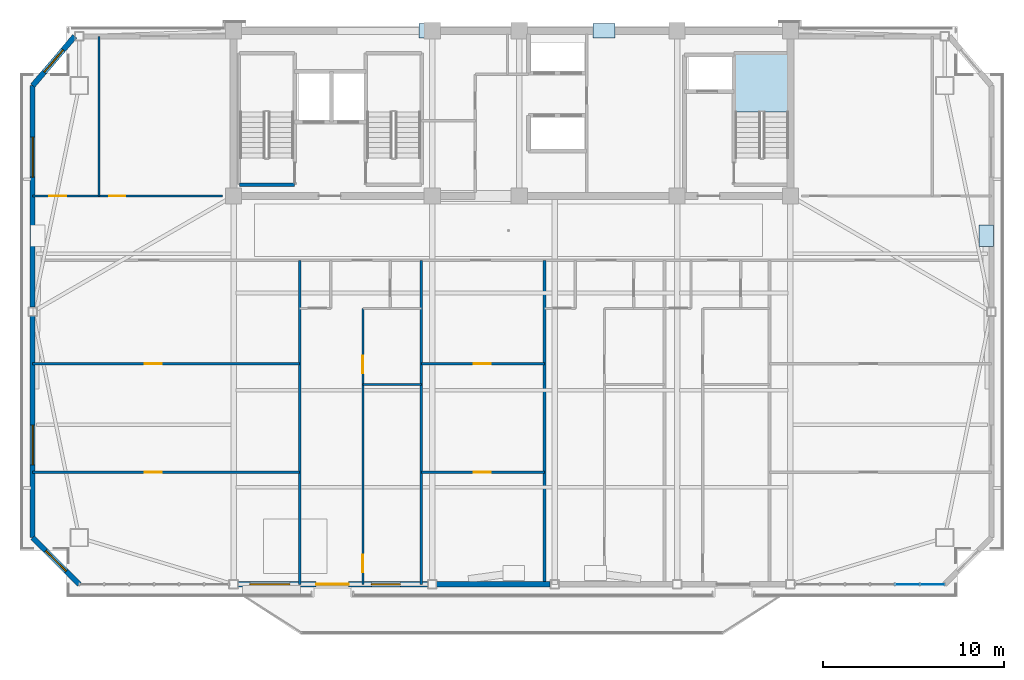
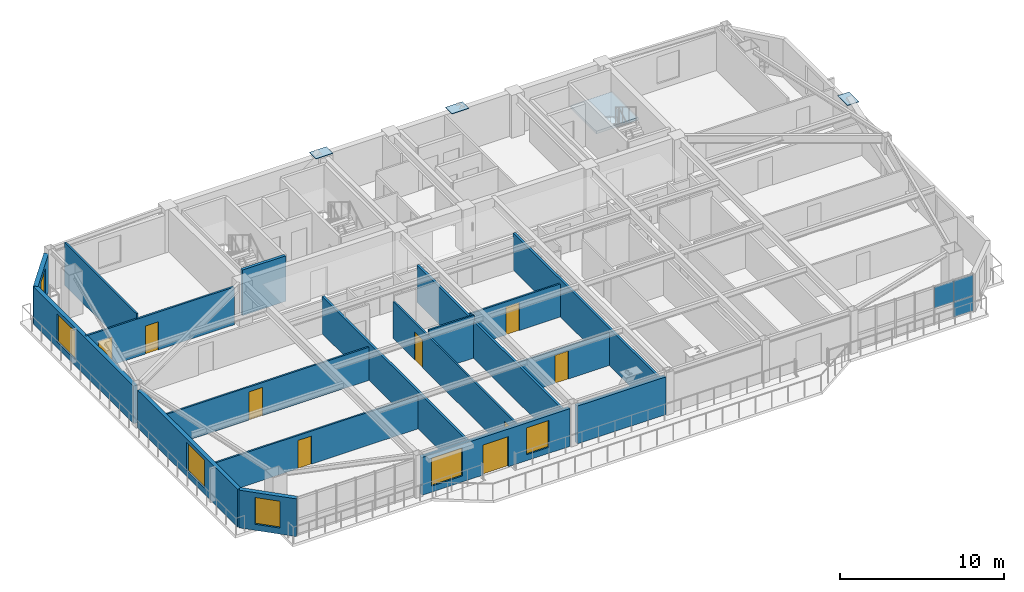
# One storey, part 8 of 18: 18 walls, 9 doors, 6 plates, 6 windows, 1 slab, 15 openings, 2 elements without a shape of their own.
"""IFC4 building model written with IfcOpenShell, lengths in metres."""

import ifcopenshell
import ifcopenshell.guid

model = None  # the IFC model being written
_history = None  # IfcOwnerHistory: only IFC2X3 demands one
_inside = {}  # id of a spatial element -> (the spatial element, [elements in it])
_under = {}  # id of a project, library or spatial element -> (it, [spatial elements below it])
_declared = {}  # id of a project -> (the project, [libraries it declares])
_typed = {}  # id of a type object -> (the type object, [elements of that type])
_made_of = {}  # id of a material, layer set ... -> (it, [elements and type objects made of it])


def new_model(schema):
    """Start an empty IFC model of exactly this schema.

    Asked for "IFC4X3", IfcOpenShell would pick the latest addendum, in which some entities
    have other attributes; the version numbers below select the first issue.
    IFC2X3 requires an IfcOwnerHistory on every rooted entity: one is made here for all.
    """
    global model, _history
    if schema == "IFC4X3":
        model = ifcopenshell.file(schema_version=(4, 3, 0, 0))
    else:
        model = ifcopenshell.file(schema=schema)
    _inside.clear()
    _under.clear()
    _declared.clear()
    _typed.clear()
    _made_of.clear()
    _history = None
    if model.schema == "IFC2X3":
        org = make("IfcOrganization", Name="unknown")
        user = make(
            "IfcPersonAndOrganization",
            ThePerson=make("IfcPerson", FamilyName="unknown"),
            TheOrganization=org,
        )
        app = make(
            "IfcApplication",
            ApplicationDeveloper=org,
            Version="unknown",
            ApplicationFullName="unknown",
            ApplicationIdentifier="unknown",
        )
        _history = make(
            "IfcOwnerHistory",
            OwningUser=user,
            OwningApplication=app,
            ChangeAction="ADDED",
            CreationDate=0,
        )
    return model


def make(cls, **values):
    """One entity of the class cls with the attributes given. An attribute that is None is left unset."""
    return model.create_entity(
        cls, **{name: value for name, value in values.items() if value is not None}
    )


def rooted(cls, **values):
    """An entity with a GlobalId (a new one), such as an element, a storey or a relation."""
    return make(cls, GlobalId=ifcopenshell.guid.new(), OwnerHistory=_history, **values)


def si_unit(unit_type, name, prefix=None):
    """IfcSIUnit, for example si_unit("LENGTHUNIT", "METRE", prefix="MILLI")."""
    return make("IfcSIUnit", UnitType=unit_type, Prefix=prefix, Name=name)


def assignment(units):
    """IfcUnitAssignment: the units of a project."""
    return None if units is None else make("IfcUnitAssignment", Units=units)


def point(xyz):
    """IfcCartesianPoint."""
    return None if xyz is None else make("IfcCartesianPoint", Coordinates=xyz)


def direction(xyz):
    """IfcDirection."""
    return None if xyz is None else make("IfcDirection", DirectionRatios=xyz)


def frame(location, z_axis=None, x_axis=None):
    """IfcAxis2Placement3D, a coordinate frame: its origin and axes. An axis left out is left unset."""
    return make(
        "IfcAxis2Placement3D",
        Location=point(location),
        Axis=direction(z_axis),
        RefDirection=direction(x_axis),
    )


def frame_2d(location, x_axis=None):
    """IfcAxis2Placement2D, a coordinate frame in the plane: its origin and x axis."""
    return make(
        "IfcAxis2Placement2D", Location=point(location), RefDirection=direction(x_axis)
    )


def origin():
    """The frame at (0, 0, 0) with its axes left unset."""
    return frame((0.0, 0.0, 0.0))


def origin_2d():
    """The frame at (0, 0) in the plane with its x axis left unset."""
    return frame_2d((0.0, 0.0))


def place(relative_to, where):
    """IfcLocalPlacement: puts the frame where relative to a parent placement (None: the world)."""
    return make(
        "IfcLocalPlacement", PlacementRelTo=relative_to, RelativePlacement=where
    )


def context(
    kind, dimensions, precision=None, world=None, true_north=None, identifier=None
):
    """IfcGeometricRepresentationContext, for example the 3D "Model" context."""
    return make(
        "IfcGeometricRepresentationContext",
        ContextIdentifier=identifier,
        ContextType=kind,
        CoordinateSpaceDimension=dimensions,
        Precision=precision,
        WorldCoordinateSystem=world,
        TrueNorth=true_north,
    )


def subcontext(parent, identifier, kind, view, scale=None):
    """IfcGeometricRepresentationSubContext, for example "Body" below "Model"."""
    return make(
        "IfcGeometricRepresentationSubContext",
        ContextIdentifier=identifier,
        ContextType=kind,
        ParentContext=parent,
        TargetScale=scale,
        TargetView=view,
    )


def project(units=None, contexts=None):
    """IfcProject with its units and contexts."""
    return rooted(
        "IfcProject",
        Name="project",
        RepresentationContexts=contexts,
        UnitsInContext=assignment(units),
    )


def spatial(cls, under=None, at=None, **own):
    """A site, building, storey or space (cls), placed at a placement, below another one or the project."""
    s = rooted(cls, ObjectPlacement=at, **own)
    if under is not None:
        _under.setdefault(under.id(), (under, []))[1].append(s)
    return s


def polyline(points):
    """IfcPolyline through the points."""
    return make("IfcPolyline", Points=[point(p) for p in points])


def profile(cls, at=None, kind="AREA", **sizes):
    """A parametric profile (cls). Its sizes go by their IFC names, for example OverallWidth=200.0."""
    return make(cls, ProfileType=kind, Position=at, **sizes)


def rectangle(**sizes):
    """IfcRectangleProfileDef."""
    return profile("IfcRectangleProfileDef", **sizes)


def outline(outer, holes=None, kind="AREA"):
    """IfcArbitraryClosedProfileDef: a profile drawn as a closed curve; with holes, ...WithVoids."""
    if holes is None:
        return make("IfcArbitraryClosedProfileDef", ProfileType=kind, OuterCurve=outer)
    return make(
        "IfcArbitraryProfileDefWithVoids",
        ProfileType=kind,
        OuterCurve=outer,
        InnerCurves=holes,
    )


def extrude(swept, where, along, depth):
    """IfcExtrudedAreaSolid: the profile swept, set in the frame where, extruded along a direction by depth."""
    return make(
        "IfcExtrudedAreaSolid",
        SweptArea=swept,
        Position=where,
        ExtrudedDirection=direction(along),
        Depth=depth,
    )


def shape(context_of_items, identifier, shape_type, items):
    """IfcShapeRepresentation: the items that make up one representation, for example the "Body"."""
    return make(
        "IfcShapeRepresentation",
        ContextOfItems=context_of_items,
        RepresentationIdentifier=identifier,
        RepresentationType=shape_type,
        Items=items,
    )


def source(mapping_origin, context_of_items, identifier, shape_type, items):
    """IfcRepresentationMap: a shape defined once, which mapped items show again and again."""
    return make(
        "IfcRepresentationMap",
        MappingOrigin=mapping_origin,
        MappedRepresentation=shape(context_of_items, identifier, shape_type, items),
    )


def transform(
    local_origin,
    x_axis=None,
    y_axis=None,
    z_axis=None,
    scale=None,
    scale2=None,
    scale3=None,
    uniform=True,
):
    """IfcCartesianTransformationOperator3D, or its non-uniform kind. x_axis, y_axis, z_axis: its Axis1, 2, 3."""
    if uniform:
        return make(
            "IfcCartesianTransformationOperator3D",
            Axis1=direction(x_axis),
            Axis2=direction(y_axis),
            LocalOrigin=point(local_origin),
            Scale=scale,
            Axis3=direction(z_axis),
        )
    return make(
        "IfcCartesianTransformationOperator3DnonUniform",
        Axis1=direction(x_axis),
        Axis2=direction(y_axis),
        LocalOrigin=point(local_origin),
        Scale=scale,
        Axis3=direction(z_axis),
        Scale2=scale2,
        Scale3=scale3,
    )


def mapped(mapping_source, mapping_target):
    """IfcMappedItem: shows the shape of a source again, moved by a transform."""
    return make(
        "IfcMappedItem", MappingSource=mapping_source, MappingTarget=mapping_target
    )


def material(Name=None, Category=None):
    """IfcMaterial."""
    return make("IfcMaterial", Name=Name, Category=Category)


def layer(
    of_material, thickness, ventilated=None, Name=None, Category=None, Priority=None
):
    """IfcMaterialLayer: one layer of a wall or slab, of a material (None: an air gap)."""
    return make(
        "IfcMaterialLayer",
        Material=of_material,
        LayerThickness=thickness,
        IsVentilated=ventilated,
        Name=Name,
        Category=Category,
        Priority=Priority,
    )


def layer_set(layers, Name=None):
    """IfcMaterialLayerSet."""
    return make("IfcMaterialLayerSet", MaterialLayers=layers, LayerSetName=Name)


def made_of(thing, what):
    """Note that an element or type object is made of a material, layer set ...; save() writes the relation."""
    if what is not None:
        _made_of.setdefault(what.id(), (what, []))[1].append(thing)
    return thing


def type_object(cls, material=None, **own):
    """A type object (cls), such as IfcWallType, which elements share."""
    return made_of(rooted(cls, **own), material)


def element(
    cls,
    number,
    at=None,
    inside=None,
    cuts=None,
    type_object=None,
    material=None,
    context=None,
    identifier="Body",
    shape_type=None,
    held_by="IfcProductDefinitionShape",
    body=None,
    shapes=None,
    **own,
):
    """One element of the class cls, such as IfcWall. Its Tag is "e" and its number.

    at: its placement. inside: the storey or other place that contains it. cuts: it is an
    opening in that element (IfcRelVoidsElement). A single representation is given by context,
    identifier, shape_type and body (its items); several are given by shapes. held_by: the class
    of the entity that holds the representations. save() writes the other relations.
    """
    e = rooted(cls, Tag="e%d" % number, ObjectPlacement=at, **own)
    if body is not None:
        shapes = [shape(context, identifier, shape_type, body)]
    if shapes is not None:
        e.Representation = make(held_by, Representations=shapes)
    if inside is not None:
        _inside.setdefault(inside.id(), (inside, []))[1].append(e)
    if cuts is not None:
        rooted(
            "IfcRelVoidsElement", RelatingBuildingElement=cuts, RelatedOpeningElement=e
        )
    if type_object is not None:
        _typed.setdefault(type_object.id(), (type_object, []))[1].append(e)
    return made_of(e, material)


def fill(opening, filler):
    """IfcRelFillsElement: the door or window that sits in an opening."""
    return rooted(
        "IfcRelFillsElement",
        RelatingOpeningElement=opening,
        RelatedBuildingElement=filler,
    )


def aggregate(whole, parts):
    """IfcRelAggregates: a whole, such as a stair, and the parts it consists of."""
    return rooted("IfcRelAggregates", RelatingObject=whole, RelatedObjects=parts)


def save(model, path):
    """Write the relations noted so far, then the file.

    IfcRelAggregates (storeys below a building ...), IfcRelContainedInSpatialStructure (elements
    in a storey), IfcRelDefinesByType, IfcRelAssociatesMaterial and IfcRelDeclares: one each for
    every whole, place, type object, material and project.
    """
    for whole, parts in _under.values():
        aggregate(whole, parts)
    for where, things in _inside.values():
        rooted(
            "IfcRelContainedInSpatialStructure",
            RelatedElements=things,
            RelatingStructure=where,
        )
    for kind, things in _typed.values():
        rooted("IfcRelDefinesByType", RelatedObjects=things, RelatingType=kind)
    for what, things in _made_of.values():
        rooted("IfcRelAssociatesMaterial", RelatedObjects=things, RelatingMaterial=what)
    for by, libraries in _declared.values():
        rooted("IfcRelDeclares", RelatingContext=by, RelatedDefinitions=libraries)
    model.write(path)


model = new_model("IFC4")

# Units and contexts
model_context = context("Model", 3, precision=1e-05, world=origin(), true_north=direction((0.0, 1.0)))
body_context = subcontext(model_context, "Body", "Model", "MODEL_VIEW")
ifc_project = project(units=[si_unit("LENGTHUNIT", "METRE"), si_unit("AREAUNIT", "SQUARE_METRE"), si_unit("VOLUMEUNIT", "CUBIC_METRE"), si_unit("PLANEANGLEUNIT", "RADIAN"), si_unit("MASSUNIT", "GRAM", prefix="KILO")], contexts=[model_context])

# Site, building, storey
site_placement = place(None, origin())
site = spatial("IfcSite", under=ifc_project, at=site_placement, CompositionType="ELEMENT")
building_placement = place(site_placement, origin())
building = spatial("IfcBuilding", under=site, at=building_placement, Name="Giltprow Tower", CompositionType="ELEMENT")
storey_placement = place(building_placement, frame((0.0, 0.0, 262.10009765625)))
storey = spatial("IfcBuildingStorey", under=building, at=storey_placement, Name="L67", CompositionType="ELEMENT", Elevation=262.10009765625)

# Stair, slab
ifc_material_1 = material(Name="Concrete C40", Category="concrete")
stair_type = type_object("IfcStairType", Name="STR-ST-3", PredefinedType="HALF_TURN_STAIR", material=ifc_material_1)
stair_placement = place(storey_placement, origin())
stair = element("IfcStair", 1, at=stair_placement, inside=storey, type_object=stair_type, Name="L67 Core Exit Stair ST-3", PredefinedType="HALF_TURN_STAIR")
ifc_layer_1 = layer(ifc_material_1, 0.196044921875, Name="Concrete C40")
ifc_layer_set_1 = layer_set([ifc_layer_1], Name="Concrete C40")
slab_type = type_object("IfcSlabType", Name="SLD-ST-3", PredefinedType="LANDING", material=ifc_layer_set_1)
slab_placement = place(storey_placement, frame((0.0, 0.0, 1.50390625)))
slab = element("IfcSlab", 2, at=slab_placement, type_object=slab_type, Name="ST-3 landing 1", PredefinedType="LANDING", context=body_context, shape_type="SweptSolid", body=[
    extrude(outline(polyline([(50.4599609375, 42.070068359375), (50.4599609375, 45.25), (47.5, 45.25), (47.5, 42.070068359375), (50.4599609375, 42.070068359375)])), origin(), (0.0, 0.0, 1.0), 0.196044921875),
])
aggregate(stair, [slab])

# Plates
ifc_material_2 = material(Name="Structural steel Q420GJC", Category="steel")
plate_type_1 = type_object("IfcPlateType", Name="PLT-CAP-SEAL", PredefinedType="USERDEFINED", material=ifc_material_2)
shared_shape_1 = source(origin(), body_context, "Body", "SweptSolid", [
    extrude(rectangle(XDim=1.199951171875, YDim=0.800048828125, at=origin_2d()), origin(), (0.0, 0.0, 1.0), 0.034912109375),
])
for number, where, z_axis, x_axis, name in (
    (3, (30.6669921875, 46.550048828125, 3.24267578125), (0.0, 0.0, 1.0), (1.0, 0.0, 0.0), "Mega-Brace Node L67-N-LB"),
    (4, (40.26708984375, 46.550048828125, 3.24267578125), (0.0, 0.0, 1.0), (1.0, 0.0, 0.0), "Mega-Brace Node L67-N-RB"),
    (5, (61.344970703125, 35.256103515625, 3.38232421875), (0.0, 0.0, 1.0), (0.0, 1.0, 0.0), "Mega-Brace Node L67-E-DB"),
):
    element("IfcPlate", number, at=place(storey_placement, frame(where, z_axis=z_axis, x_axis=x_axis)), inside=storey, type_object=plate_type_1, Name=name, ObjectType="SPLICE", PredefinedType="USERDEFINED", context=body_context, shape_type="MappedRepresentation", body=[
        mapped(shared_shape_1, transform((0.0, 0.0, 0.0), x_axis=(1.0, 0.0, 0.0), y_axis=(0.0, 1.0, 0.0), z_axis=(0.0, 0.0, 1.0), scale=1.0)),
    ])

# Curtain wall, plates
ifc_material_3 = material(Name="Anodized bronze", Category="metal")
ifc_layer_2 = layer(ifc_material_3, 0.179931640625, Name="Anodized bronze")
ifc_layer_set_2 = layer_set([ifc_layer_2], Name="Anodized bronze")
curtain_wall_type = type_object("IfcCurtainWallType", Name="CW-RES-SKY", PredefinedType="NOTDEFINED", material=ifc_layer_set_2)
curtain_wall_placement = place(storey_placement, origin())
curtain_wall = element("IfcCurtainWall", 6, at=curtain_wall_placement, inside=storey, type_object=curtain_wall_type, Name="L67 South Recessed Curtain Wall 6", PredefinedType="NOTDEFINED")
ifc_material_4 = material(Name="Insulated glass", Category="glass")
plate_type_2 = type_object("IfcPlateType", Name="CW-PANEL-IGU-28", PredefinedType="CURTAIN_PANEL", material=ifc_material_4)
shared_shape_2 = source(origin(), body_context, "Body", "SweptSolid", [
    extrude(rectangle(XDim=1.345947265625, YDim=0.028076171875, at=origin_2d()), origin(), (0.0, 0.0, 1.0), 1.114013671875),
])
plate_1_placement = place(storey_placement, frame((58.364990234375, 16.044921875, 0.0537109375), z_axis=(0.0, 0.0, 1.0), x_axis=(1.0, 0.0, 0.0)))
plate_1 = element("IfcPlate", 7, at=plate_1_placement, type_object=plate_type_2, Name="L67 South Recessed Curtain Wall 6 Glazing Panel 6-1", PredefinedType="CURTAIN_PANEL", context=body_context, shape_type="MappedRepresentation", body=[
    mapped(shared_shape_2, transform((0.0, 0.0, 0.0), x_axis=(1.0, 0.0, 0.0), y_axis=(0.0, 1.0, 0.0), z_axis=(0.0, 0.0, 1.0), scale=1.0)),
])
shared_shape_3 = source(origin(), body_context, "Body", "SweptSolid", [
    extrude(rectangle(XDim=1.345947265625, YDim=0.028076171875, at=origin_2d()), origin(), (0.0, 0.0, 1.0), 1.56494140625),
])
plate_2_placement = place(storey_placement, frame((56.989990234375, 16.044921875, 1.1953125), z_axis=(0.0, 0.0, 1.0), x_axis=(1.0, 0.0, 0.0)))
plate_2 = element("IfcPlate", 8, at=plate_2_placement, type_object=plate_type_2, Name="L67 South Recessed Curtain Wall 6 Glazing Panel 5-2", PredefinedType="CURTAIN_PANEL", context=body_context, shape_type="MappedRepresentation", body=[
    mapped(shared_shape_3, transform((0.0, 0.0, 0.0), x_axis=(1.0, 0.0, 0.0), y_axis=(0.0, 1.0, 0.0), z_axis=(0.0, 0.0, 1.0), scale=1.0)),
])
plate_3_placement = place(storey_placement, frame((58.364990234375, 16.044921875, 1.1953125), z_axis=(0.0, 0.0, 1.0), x_axis=(1.0, 0.0, 0.0)))
plate_3 = element("IfcPlate", 9, at=plate_3_placement, type_object=plate_type_2, Name="L67 South Recessed Curtain Wall 6 Glazing Panel 6-2", PredefinedType="CURTAIN_PANEL", context=body_context, shape_type="MappedRepresentation", body=[
    mapped(shared_shape_3, transform((0.0, 0.0, 0.0), x_axis=(1.0, 0.0, 0.0), y_axis=(0.0, 1.0, 0.0), z_axis=(0.0, 0.0, 1.0), scale=1.0)),
])
aggregate(curtain_wall, [plate_2, plate_1, plate_3])

# Wall, opening, window
ifc_material_5 = material(Name="Precast concrete C40", Category="concrete")
ifc_layer_3 = layer(ifc_material_5, 0.300048828125, Name="Precast concrete C40")
ifc_layer_set_3 = layer_set([ifc_layer_3], Name="Precast concrete C40")
wall_type_1 = type_object("IfcWallType", Name="EW-NOTCH-CHAMFER-300", PredefinedType="SOLIDWALL", material=ifc_layer_set_3)
wall_1_placement = place(storey_placement, frame((8.779052734375, 18.614013671875, 0.0), z_axis=(0.0, 0.0, 1.0), x_axis=(0.707073180636, -0.70714038014, 0.0)))
wall_1 = element("IfcWall", 10, at=wall_1_placement, inside=storey, type_object=wall_type_1, Name="L67 Corner Notch Wall SW", PredefinedType="SOLIDWALL", context=body_context, shape_type="SweptSolid", body=[
    extrude(rectangle(XDim=3.633056640625, YDim=0.300048828125, at=frame_2d((1.81640625, 0.0))), origin(), (0.0, 0.0, 1.0), 2.81494140625),
])
opening_1_placement = place(wall_1_placement, frame((1.01708984375, 0.0, 0.449951171875)))
opening_1 = element("IfcOpeningElement", 11, at=opening_1_placement, cuts=wall_1, Name="Opening WN17", PredefinedType="OPENING", context=body_context, shape_type="SweptSolid", body=[
    extrude(rectangle(XDim=1.60009765625, YDim=2.0, at=frame_2d((0.800048828125, 1.0))), frame((0.0, 0.159912109375, 0.0), z_axis=(0.0, -1.0, 0.0), x_axis=(1.0, 0.0, 0.0)), (0.0, 0.0, 1.0), 0.320068359375),
])
window_type_1 = type_object("IfcWindowType", Name="WN-COR-1600x2000", PartitioningType="SINGLE_PANEL", PredefinedType="WINDOW", material=ifc_material_4)
shared_shape_4 = source(origin(), body_context, "Body", "SweptSolid", [
    extrude(rectangle(XDim=1.60009765625, YDim=2.0, at=frame_2d((0.800048828125, 1.0))), frame((0.0, 0.030029296875, 0.0), z_axis=(0.0, -1.0, 0.0), x_axis=(1.0, 0.0, 0.0)), (0.0, 0.0, 1.0), 0.06005859375),
])
window_1_placement = place(opening_1_placement, origin())
window_1 = element("IfcWindow", 12, at=window_1_placement, inside=storey, type_object=window_type_1, Name="L67 Corner Notch Window SW", OverallHeight=2.0, OverallWidth=1.60009765625, PartitioningType="SINGLE_PANEL", PredefinedType="WINDOW", context=body_context, shape_type="MappedRepresentation", body=[
    mapped(shared_shape_4, transform((0.0, 0.0, 0.0), x_axis=(1.0, 0.0, 0.0), y_axis=(0.0, 1.0, 0.0), z_axis=(0.0, 0.0, 1.0), scale=1.0)),
])
fill(opening_1, window_1)

wall_2_placement = place(storey_placement, frame((11.097900390625, 46.25, 0.0), z_axis=(0.0, 0.0, 1.0), x_axis=(-0.648764006605, -0.760989660727, 0.0)))
wall_2 = element("IfcWall", 13, at=wall_2_placement, inside=storey, type_object=wall_type_1, Name="L67 Corner Notch Wall NW", PredefinedType="SOLIDWALL", context=body_context, shape_type="SweptSolid", body=[
    extrude(rectangle(XDim=3.57421875, YDim=0.300048828125, at=frame_2d((1.787109375, 0.0))), origin(), (0.0, 0.0, 1.0), 2.81494140625),
])
opening_2_placement = place(wall_2_placement, frame((0.987060546875, 0.0, 0.449951171875)))
opening_2 = element("IfcOpeningElement", 14, at=opening_2_placement, cuts=wall_2, Name="Opening WN17", PredefinedType="OPENING", context=body_context, shape_type="SweptSolid", body=[
    extrude(rectangle(XDim=1.60009765625, YDim=2.0, at=frame_2d((0.800048828125, 1.0))), frame((0.0, 0.159912109375, 0.0), z_axis=(0.0, -1.0, 0.0), x_axis=(1.0, 0.0, 0.0)), (0.0, 0.0, 1.0), 0.320068359375),
])
window_2_placement = place(opening_2_placement, origin())
window_2 = element("IfcWindow", 15, at=window_2_placement, inside=storey, type_object=window_type_1, Name="L67 Corner Notch Window NW", OverallHeight=2.0, OverallWidth=1.60009765625, PartitioningType="SINGLE_PANEL", PredefinedType="WINDOW", context=body_context, shape_type="MappedRepresentation", body=[
    mapped(shared_shape_4, transform((0.0, 0.0, 0.0), x_axis=(1.0, 0.0, 0.0), y_axis=(0.0, 1.0, 0.0), z_axis=(0.0, 0.0, 1.0), scale=1.0)),
])
fill(opening_2, window_2)

# Wall, openings, windows, door
ifc_layer_4 = layer(ifc_material_5, 0.280029296875, Name="Precast concrete C40")
ifc_layer_set_4 = layer_set([ifc_layer_4], Name="Precast concrete C40")
wall_type_2 = type_object("IfcWallType", Name="EW-TOW-BRONZE-280", PredefinedType="SOLIDWALL", material=ifc_layer_set_4)
wall_3_placement = place(storey_placement, frame((20.10009765625, 16.044921875, 0.0), z_axis=(0.0, 0.0, 1.0), x_axis=(1.0, 0.0, 0.0)))
wall_3 = element("IfcWall", 16, at=wall_3_placement, inside=storey, type_object=wall_type_2, Name="L67 South Expressed Frame Wall 2", PredefinedType="SOLIDWALL", context=body_context, shape_type="SweptSolid", body=[
    extrude(rectangle(XDim=10.449951171875, YDim=0.280029296875, at=frame_2d((5.22509765625, 0.0))), origin(), (0.0, 0.0, 1.0), 2.81494140625),
])
opening_3_placement = place(wall_3_placement, frame((4.300048828125, 0.0, 0.0)))
opening_3 = element("IfcOpeningElement", 17, at=opening_3_placement, cuts=wall_3, Name="Opening ED25", PredefinedType="OPENING", context=body_context, shape_type="SweptSolid", body=[
    extrude(rectangle(XDim=1.800048828125, YDim=2.25, at=frame_2d((0.89990234375, 1.125))), frame((0.0, 0.14990234375, 0.0), z_axis=(0.0, -1.0, 0.0), x_axis=(1.0, 0.0, 0.0)), (0.0, 0.0, 1.0), 0.300048828125),
])
opening_4_placement = place(wall_3_placement, frame((0.64990234375, 0.0, 0.449951171875)))
opening_4 = element("IfcOpeningElement", 18, at=opening_4_placement, cuts=wall_3, Name="Opening WN27", PredefinedType="OPENING", context=body_context, shape_type="SweptSolid", body=[
    extrude(rectangle(XDim=2.199951171875, YDim=2.10009765625, at=frame_2d((1.10009765625, 1.050048828125))), frame((0.0, 0.14990234375, 0.0), z_axis=(0.0, -1.0, 0.0), x_axis=(1.0, 0.0, 0.0)), (0.0, 0.0, 1.0), 0.300048828125),
])
opening_5_placement = place(wall_3_placement, frame((7.35009765625, 0.0, 0.449951171875)))
opening_5 = element("IfcOpeningElement", 19, at=opening_5_placement, cuts=wall_3, Name="Opening WN17", PredefinedType="OPENING", context=body_context, shape_type="SweptSolid", body=[
    extrude(rectangle(XDim=1.60009765625, YDim=2.0, at=frame_2d((0.800048828125, 1.0))), frame((0.0, 0.14990234375, 0.0), z_axis=(0.0, -1.0, 0.0), x_axis=(1.0, 0.0, 0.0)), (0.0, 0.0, 1.0), 0.300048828125),
])
window_3_placement = place(opening_5_placement, origin())
window_3 = element("IfcWindow", 20, at=window_3_placement, inside=storey, type_object=window_type_1, Name="L67 South Window 2B", OverallHeight=2.0, OverallWidth=1.60009765625, PartitioningType="SINGLE_PANEL", PredefinedType="WINDOW", context=body_context, shape_type="MappedRepresentation", body=[
    mapped(shared_shape_4, transform((0.0, 0.0, 0.0), x_axis=(1.0, 0.0, 0.0), y_axis=(0.0, 1.0, 0.0), z_axis=(0.0, 0.0, 1.0), scale=1.0)),
])
fill(opening_5, window_3)
ifc_material_6 = material(Name="Anodized bronze and glass", Category="glass")
door_type_1 = type_object("IfcDoorType", Name="DR-BALC-SLIDE-1800", OperationType="SLIDING_TO_LEFT", PredefinedType="DOOR", material=ifc_material_6)
shared_shape_5 = source(origin(), body_context, "Body", "SweptSolid", [
    extrude(rectangle(XDim=1.800048828125, YDim=2.25, at=frame_2d((0.89990234375, 1.125))), frame((0.0, 0.02490234375, 0.0), z_axis=(0.0, -1.0, 0.0), x_axis=(1.0, 0.0, 0.0)), (0.0, 0.0, 1.0), 0.050048828125),
])
door_1_placement = place(opening_3_placement, origin())
door_1 = element("IfcDoor", 21, at=door_1_placement, inside=storey, type_object=door_type_1, Name="L67 Waterfront Balcony Sliding Door 1", OperationType="SLIDING_TO_LEFT", OverallHeight=2.25, OverallWidth=1.800048828125, PredefinedType="DOOR", context=body_context, shape_type="MappedRepresentation", body=[
    mapped(shared_shape_5, transform((0.0, 0.0, 0.0), x_axis=(1.0, 0.0, 0.0), y_axis=(0.0, 1.0, 0.0), z_axis=(0.0, 0.0, 1.0), scale=1.0)),
])
fill(opening_3, door_1)
window_type_2 = type_object("IfcWindowType", Name="WN-RES-2200x2100", PartitioningType="TRIPLE_PANEL_VERTICAL", PredefinedType="WINDOW", material=ifc_material_4)
shared_shape_6 = source(origin(), body_context, "Body", "SweptSolid", [
    extrude(rectangle(XDim=2.199951171875, YDim=2.10009765625, at=frame_2d((1.10009765625, 1.050048828125))), frame((0.0, 0.030029296875, 0.0), z_axis=(0.0, -1.0, 0.0), x_axis=(1.0, 0.0, 0.0)), (0.0, 0.0, 1.0), 0.06005859375),
])
window_4_placement = place(opening_4_placement, origin())
window_4 = element("IfcWindow", 22, at=window_4_placement, inside=storey, type_object=window_type_2, Name="L67 South Window 2A", OverallHeight=2.10009765625, OverallWidth=2.199951171875, PartitioningType="SINGLE_PANEL", PredefinedType="WINDOW", context=body_context, shape_type="MappedRepresentation", body=[
    mapped(shared_shape_6, transform((0.0, 0.0, 0.0), x_axis=(1.0, 0.0, 0.0), y_axis=(0.0, 1.0, 0.0), z_axis=(0.0, 0.0, 1.0), scale=1.0)),
])
fill(opening_4, window_4)

# Wall
wall_4_placement = place(storey_placement, frame((31.050048828125, 16.044921875, 0.0), z_axis=(0.0, 0.0, 1.0), x_axis=(1.0, 0.0, 0.0)))
element("IfcWall", 23, at=wall_4_placement, inside=storey, type_object=wall_type_2, Name="L67 South Expressed Frame Wall 3", PredefinedType="SOLIDWALL", context=body_context, shape_type="SweptSolid", body=[
    extrude(rectangle(XDim=6.25, YDim=0.280029296875, at=frame_2d((3.125, 0.0))), origin(), (0.0, 0.0, 1.0), 2.81494140625),
])

# Wall, opening, window
wall_5_placement = place(storey_placement, frame((8.779052734375, 18.614013671875, 0.0), z_axis=(0.0, 0.0, 1.0), x_axis=(0.0, 1.0, 0.0)))
wall_5 = element("IfcWall", 24, at=wall_5_placement, inside=storey, type_object=wall_type_2, Name="L67 W Wing Masonry Wall 1", PredefinedType="SOLIDWALL", context=body_context, shape_type="SweptSolid", body=[
    extrude(rectangle(XDim=12.2080078125, YDim=0.280029296875, at=frame_2d((6.10400390625, 0.0))), origin(), (0.0, 0.0, 1.0), 2.81494140625),
])
opening_6_placement = place(wall_5_placement, frame((4.007080078125, 0.0, 0.449951171875)))
opening_6 = element("IfcOpeningElement", 25, at=opening_6_placement, cuts=wall_5, Name="Opening WN27", PredefinedType="OPENING", context=body_context, shape_type="SweptSolid", body=[
    extrude(rectangle(XDim=2.199951171875, YDim=2.10009765625, at=frame_2d((1.10009765625, 1.050048828125))), frame((0.0, 0.14990234375, 0.0), z_axis=(0.0, -1.0, 0.0), x_axis=(1.0, 0.0, 0.0)), (0.0, 0.0, 1.0), 0.300048828125),
])
window_5_placement = place(opening_6_placement, origin())
window_5 = element("IfcWindow", 26, at=window_5_placement, inside=storey, type_object=window_type_2, Name="L67 W Wing Window 1-1", OverallHeight=2.10009765625, OverallWidth=2.199951171875, PartitioningType="SINGLE_PANEL", PredefinedType="WINDOW", context=body_context, shape_type="MappedRepresentation", body=[
    mapped(shared_shape_6, transform((0.0, 0.0, 0.0), x_axis=(1.0, 0.0, 0.0), y_axis=(0.0, 1.0, 0.0), z_axis=(0.0, 0.0, 1.0), scale=1.0)),
])
fill(opening_6, window_5)

wall_6_placement = place(storey_placement, frame((8.779052734375, 31.322021484375, 0.0), z_axis=(0.0, 0.0, 1.0), x_axis=(0.0, 1.0, 0.0)))
wall_6 = element("IfcWall", 27, at=wall_6_placement, inside=storey, type_object=wall_type_2, Name="L67 W Wing Masonry Wall 2", PredefinedType="SOLIDWALL", context=body_context, shape_type="SweptSolid", body=[
    extrude(rectangle(XDim=12.2080078125, YDim=0.280029296875, at=frame_2d((6.10400390625, 0.0))), origin(), (0.0, 0.0, 1.0), 2.81494140625),
])
opening_7_placement = place(wall_6_placement, frame((7.1708984375, 0.0, 0.449951171875)))
opening_7 = element("IfcOpeningElement", 28, at=opening_7_placement, cuts=wall_6, Name="Opening WN27", PredefinedType="OPENING", context=body_context, shape_type="SweptSolid", body=[
    extrude(rectangle(XDim=2.199951171875, YDim=2.10009765625, at=frame_2d((1.10009765625, 1.050048828125))), frame((0.0, 0.14990234375, 0.0), z_axis=(0.0, -1.0, 0.0), x_axis=(1.0, 0.0, 0.0)), (0.0, 0.0, 1.0), 0.300048828125),
])
window_6_placement = place(opening_7_placement, origin())
window_6 = element("IfcWindow", 29, at=window_6_placement, inside=storey, type_object=window_type_2, Name="L67 W Wing Window 2-1", OverallHeight=2.10009765625, OverallWidth=2.199951171875, PartitioningType="SINGLE_PANEL", PredefinedType="WINDOW", context=body_context, shape_type="MappedRepresentation", body=[
    mapped(shared_shape_6, transform((0.0, 0.0, 0.0), x_axis=(1.0, 0.0, 0.0), y_axis=(0.0, 1.0, 0.0), z_axis=(0.0, 0.0, 1.0), scale=1.0)),
])
fill(opening_7, window_6)

# Walls
ifc_material_7 = material(Name="Gypsum stud partition", Category="gypsum")
ifc_layer_5 = layer(ifc_material_7, 0.159912109375, Name="Gypsum stud partition")
ifc_layer_set_5 = layer_set([ifc_layer_5], Name="Gypsum stud partition")
wall_type_3 = type_object("IfcWallType", Name="IW-DEMISE-160", PredefinedType="PARTITIONING", material=ifc_layer_set_5)
for number, where, z_axis, x_axis, name in (
    (30, (23.5, 16.044921875, 0.0), (0.0, 0.0, 1.0), (0.0, 1.0, 0.0), "L67 Apartment Party Wall 1"),
    (31, (30.199951171875, 16.044921875, 0.0), (0.0, 0.0, 1.0), (0.0, 1.0, 0.0), "L67 Apartment Party Wall 2"),
    (32, (37.0, 16.044921875, 0.0), (0.0, 0.0, 1.0), (0.0, 1.0, 0.0), "L67 Apartment Party Wall 3"),
):
    element("IfcWall", number, at=place(storey_placement, frame(where, z_axis=z_axis, x_axis=x_axis)), inside=storey, type_object=wall_type_3, Name=name, PredefinedType="PARTITIONING", context=body_context, shape_type="SweptSolid", body=[
        extrude(rectangle(XDim=17.85498046875, YDim=0.159912109375, at=frame_2d((8.927490234375, 0.0))), origin(), (0.0, 0.0, 1.0), 2.77001953125),
    ])

# Wall, opening, door
ifc_layer_6 = layer(ifc_material_7, 0.1201171875, Name="Gypsum stud partition")
ifc_layer_set_6 = layer_set([ifc_layer_6], Name="Gypsum stud partition")
wall_type_4 = type_object("IfcWallType", Name="IW-ROOM-120", PredefinedType="PARTITIONING", material=ifc_layer_set_6)
wall_7_placement = place(storey_placement, frame((8.779052734375, 22.220947265625, 0.0), z_axis=(0.0, 0.0, 1.0), x_axis=(1.0, 0.0, 0.0)))
wall_7 = element("IfcWall", 33, at=wall_7_placement, inside=storey, type_object=wall_type_4, Name="L67 Special Split 1", PredefinedType="PARTITIONING", context=body_context, shape_type="SweptSolid", body=[
    extrude(rectangle(XDim=14.720947265625, YDim=0.1201171875, at=frame_2d((7.3603515625, 0.0))), origin(), (0.0, 0.0, 1.0), 2.469970703125),
])
opening_8_placement = place(wall_7_placement, frame((6.174072265625, 0.0, 0.0)))
opening_8 = element("IfcOpeningElement", 34, at=opening_8_placement, cuts=wall_7, Name="Opening ID11", PredefinedType="OPENING", context=body_context, shape_type="SweptSolid", body=[
    extrude(rectangle(XDim=0.949951171875, YDim=2.10009765625, at=frame_2d((0.47509765625, 1.050048828125))), frame((0.0, 0.070068359375, 0.0), z_axis=(0.0, -1.0, 0.0), x_axis=(1.0, 0.0, 0.0)), (0.0, 0.0, 1.0), 0.14013671875),
])
ifc_material_8 = material(Name="Engineered timber", Category="wood")
door_type_2 = type_object("IfcDoorType", Name="DR-ROOM-950", OperationType="SINGLE_SWING_RIGHT", PredefinedType="DOOR", material=ifc_material_8)
shared_shape_7 = source(origin(), body_context, "Body", "SweptSolid", [
    extrude(rectangle(XDim=0.949951171875, YDim=2.10009765625, at=frame_2d((0.47509765625, 1.050048828125))), frame((0.0, 0.02490234375, 0.0), z_axis=(0.0, -1.0, 0.0), x_axis=(1.0, 0.0, 0.0)), (0.0, 0.0, 1.0), 0.050048828125),
])
door_2_placement = place(opening_8_placement, origin())
door_2 = element("IfcDoor", 35, at=door_2_placement, inside=storey, type_object=door_type_2, Name="L67 Residents Board Meeting Room 1 South Door", OperationType="SINGLE_SWING_RIGHT", OverallHeight=2.10009765625, OverallWidth=0.949951171875, PredefinedType="DOOR", context=body_context, shape_type="MappedRepresentation", body=[
    mapped(shared_shape_7, transform((0.0, 0.0, 0.0), x_axis=(1.0, 0.0, 0.0), y_axis=(0.0, 1.0, 0.0), z_axis=(0.0, 0.0, 1.0), scale=1.0)),
])
fill(opening_8, door_2)

wall_8_placement = place(storey_placement, frame((8.779052734375, 28.196044921875, 0.0), z_axis=(0.0, 0.0, 1.0), x_axis=(1.0, 0.0, 0.0)))
wall_8 = element("IfcWall", 36, at=wall_8_placement, inside=storey, type_object=wall_type_4, Name="L67 Special Split 2", PredefinedType="PARTITIONING", context=body_context, shape_type="SweptSolid", body=[
    extrude(rectangle(XDim=14.720947265625, YDim=0.1201171875, at=frame_2d((7.3603515625, 0.0))), origin(), (0.0, 0.0, 1.0), 2.469970703125),
])
opening_9_placement = place(wall_8_placement, frame((6.174072265625, 0.0, 0.0)))
opening_9 = element("IfcOpeningElement", 37, at=opening_9_placement, cuts=wall_8, Name="Opening ID11", PredefinedType="OPENING", context=body_context, shape_type="SweptSolid", body=[
    extrude(rectangle(XDim=0.949951171875, YDim=2.10009765625, at=frame_2d((0.47509765625, 1.050048828125))), frame((0.0, 0.070068359375, 0.0), z_axis=(0.0, -1.0, 0.0), x_axis=(1.0, 0.0, 0.0)), (0.0, 0.0, 1.0), 0.14013671875),
])
door_3_placement = place(opening_9_placement, origin())
door_3 = element("IfcDoor", 38, at=door_3_placement, inside=storey, type_object=door_type_2, Name="L67 Residents Board Meeting Room 1 Mid Door", OperationType="SINGLE_SWING_LEFT", OverallHeight=2.10009765625, OverallWidth=0.949951171875, PredefinedType="DOOR", context=body_context, shape_type="MappedRepresentation", body=[
    mapped(shared_shape_7, transform((0.0, 0.0, 0.0), x_axis=(1.0, 0.0, 0.0), y_axis=(0.0, 1.0, 0.0), z_axis=(0.0, 0.0, 1.0), scale=1.0)),
])
fill(opening_9, door_3)

# Wall, openings, doors
wall_9_placement = place(storey_placement, frame((26.97998046875, 16.044921875, 0.0), z_axis=(0.0, 0.0, 1.0), x_axis=(0.0, 1.0, 0.0)))
wall_9 = element("IfcWall", 39, at=wall_9_placement, inside=storey, type_object=wall_type_4, Name="L67 Unit 1 Bedroom Wall", PredefinedType="PARTITIONING", context=body_context, shape_type="SweptSolid", body=[
    extrude(rectangle(XDim=15.205078125, YDim=0.1201171875, at=frame_2d((7.6025390625, 0.0))), origin(), (0.0, 0.0, 1.0), 2.77001953125),
])
opening_10_placement = place(wall_9_placement, frame((0.669921875, 0.0, 0.0)))
opening_10 = element("IfcOpeningElement", 40, at=opening_10_placement, cuts=wall_9, Name="Opening ID11", PredefinedType="OPENING", context=body_context, shape_type="SweptSolid", body=[
    extrude(rectangle(XDim=0.949951171875, YDim=2.10009765625, at=frame_2d((0.47509765625, 1.050048828125))), frame((0.0, 0.070068359375, 0.0), z_axis=(0.0, -1.0, 0.0), x_axis=(1.0, 0.0, 0.0)), (0.0, 0.0, 1.0), 0.14013671875),
])
opening_11_placement = place(wall_9_placement, frame((11.64501953125, 0.0, 0.0)))
opening_11 = element("IfcOpeningElement", 41, at=opening_11_placement, cuts=wall_9, Name="Opening ID11", PredefinedType="OPENING", context=body_context, shape_type="SweptSolid", body=[
    extrude(rectangle(XDim=0.949951171875, YDim=2.10009765625, at=frame_2d((0.47509765625, 1.050048828125))), frame((0.0, 0.070068359375, 0.0), z_axis=(0.0, -1.0, 0.0), x_axis=(1.0, 0.0, 0.0)), (0.0, 0.0, 1.0), 0.14013671875),
])
door_4_placement = place(opening_10_placement, origin())
door_4 = element("IfcDoor", 42, at=door_4_placement, inside=storey, type_object=door_type_2, Name="L67 Unit 1 Primary Bedroom Door", OperationType="SINGLE_SWING_RIGHT", OverallHeight=2.10009765625, OverallWidth=0.949951171875, PredefinedType="DOOR", context=body_context, shape_type="MappedRepresentation", body=[
    mapped(shared_shape_7, transform((0.0, 0.0, 0.0), x_axis=(1.0, 0.0, 0.0), y_axis=(0.0, 1.0, 0.0), z_axis=(0.0, 0.0, 1.0), scale=1.0)),
])
fill(opening_10, door_4)
door_5_placement = place(opening_11_placement, origin())
door_5 = element("IfcDoor", 43, at=door_5_placement, inside=storey, type_object=door_type_2, Name="L67 Unit 1 Second Bedroom Door", OperationType="SINGLE_SWING_LEFT", OverallHeight=2.10009765625, OverallWidth=0.949951171875, PredefinedType="DOOR", context=body_context, shape_type="MappedRepresentation", body=[
    mapped(shared_shape_7, transform((0.0, 0.0, 0.0), x_axis=(1.0, 0.0, 0.0), y_axis=(0.0, 1.0, 0.0), z_axis=(0.0, 0.0, 1.0), scale=1.0)),
])
fill(opening_11, door_5)

# Wall
wall_10_placement = place(storey_placement, frame((26.97998046875, 27.050048828125, 0.0), z_axis=(0.0, 0.0, 1.0), x_axis=(1.0, 0.0, 0.0)))
element("IfcWall", 44, at=wall_10_placement, inside=storey, type_object=wall_type_4, Name="L67 Unit 1 Second Bedroom Wall", PredefinedType="PARTITIONING", context=body_context, shape_type="SweptSolid", body=[
    extrude(rectangle(XDim=3.219970703125, YDim=0.1201171875, at=frame_2d((1.60986328125, 0.0))), origin(), (0.0, 0.0, 1.0), 3.184814453125),
])

# Wall, opening, door
wall_11_placement = place(storey_placement, frame((30.199951171875, 22.220947265625, 0.0), z_axis=(0.0, 0.0, 1.0), x_axis=(1.0, 0.0, 0.0)))
wall_11 = element("IfcWall", 45, at=wall_11_placement, inside=storey, type_object=wall_type_4, Name="L67 Special Split 1", PredefinedType="PARTITIONING", context=body_context, shape_type="SweptSolid", body=[
    extrude(rectangle(XDim=6.800048828125, YDim=0.1201171875, at=frame_2d((3.39990234375, 0.0))), origin(), (0.0, 0.0, 1.0), 2.469970703125),
])
opening_12_placement = place(wall_11_placement, frame((2.885986328125, 0.0, 0.0)))
opening_12 = element("IfcOpeningElement", 46, at=opening_12_placement, cuts=wall_11, Name="Opening ID11", PredefinedType="OPENING", context=body_context, shape_type="SweptSolid", body=[
    extrude(rectangle(XDim=0.949951171875, YDim=2.10009765625, at=frame_2d((0.47509765625, 1.050048828125))), frame((0.0, 0.070068359375, 0.0), z_axis=(0.0, -1.0, 0.0), x_axis=(1.0, 0.0, 0.0)), (0.0, 0.0, 1.0), 0.14013671875),
])
door_6_placement = place(opening_12_placement, origin())
door_6 = element("IfcDoor", 47, at=door_6_placement, inside=storey, type_object=door_type_2, Name="L67 Briefing Meeting Room 2 South Door", OperationType="SINGLE_SWING_RIGHT", OverallHeight=2.10009765625, OverallWidth=0.949951171875, PredefinedType="DOOR", context=body_context, shape_type="MappedRepresentation", body=[
    mapped(shared_shape_7, transform((0.0, 0.0, 0.0), x_axis=(1.0, 0.0, 0.0), y_axis=(0.0, 1.0, 0.0), z_axis=(0.0, 0.0, 1.0), scale=1.0)),
])
fill(opening_12, door_6)

wall_12_placement = place(storey_placement, frame((30.199951171875, 28.196044921875, 0.0), z_axis=(0.0, 0.0, 1.0), x_axis=(1.0, 0.0, 0.0)))
wall_12 = element("IfcWall", 48, at=wall_12_placement, inside=storey, type_object=wall_type_4, Name="L67 Special Split 2", PredefinedType="PARTITIONING", context=body_context, shape_type="SweptSolid", body=[
    extrude(rectangle(XDim=6.800048828125, YDim=0.1201171875, at=frame_2d((3.39990234375, 0.0))), origin(), (0.0, 0.0, 1.0), 2.469970703125),
])
opening_13_placement = place(wall_12_placement, frame((2.885986328125, 0.0, 0.0)))
opening_13 = element("IfcOpeningElement", 49, at=opening_13_placement, cuts=wall_12, Name="Opening ID11", PredefinedType="OPENING", context=body_context, shape_type="SweptSolid", body=[
    extrude(rectangle(XDim=0.949951171875, YDim=2.10009765625, at=frame_2d((0.47509765625, 1.050048828125))), frame((0.0, 0.070068359375, 0.0), z_axis=(0.0, -1.0, 0.0), x_axis=(1.0, 0.0, 0.0)), (0.0, 0.0, 1.0), 0.14013671875),
])
door_7_placement = place(opening_13_placement, origin())
door_7 = element("IfcDoor", 50, at=door_7_placement, inside=storey, type_object=door_type_2, Name="L67 Briefing Meeting Room 2 Mid Door", OperationType="SINGLE_SWING_LEFT", OverallHeight=2.10009765625, OverallWidth=0.949951171875, PredefinedType="DOOR", context=body_context, shape_type="MappedRepresentation", body=[
    mapped(shared_shape_7, transform((0.0, 0.0, 0.0), x_axis=(1.0, 0.0, 0.0), y_axis=(0.0, 1.0, 0.0), z_axis=(0.0, 0.0, 1.0), scale=1.0)),
])
fill(opening_13, door_7)

# Wall
ifc_layer_7 = layer(ifc_material_1, 0.199951171875, Name="Concrete C40")
ifc_layer_set_7 = layer_set([ifc_layer_7], Name="Concrete C40")
wall_type_5 = type_object("IfcWallType", Name="IW-STAIR-200", PredefinedType="SOLIDWALL", material=ifc_layer_set_7)
wall_13_placement = place(storey_placement, frame((20.169921875, 38.070068359375, 0.0), z_axis=(0.0, 0.0, 1.0), x_axis=(1.0, 0.0, 0.0)))
element("IfcWall", 51, at=wall_13_placement, inside=storey, type_object=wall_type_5, Name="L67 Stair ST-1 South Bearing Wall", PredefinedType="SOLIDWALL", context=body_context, shape_type="SweptSolid", body=[
    extrude(rectangle(XDim=3.050048828125, YDim=0.199951171875, at=frame_2d((1.52490234375, 0.0))), origin(), (0.0, 0.0, 1.0), 3.39990234375),
])

# Wall, openings, doors
ifc_material_9 = material(Name="Concrete C30", Category="concrete")
ifc_layer_8 = layer(ifc_material_9, 0.1298828125, Name="Concrete C30")
ifc_layer_set_8 = layer_set([ifc_layer_8], Name="Concrete C30")
wall_type_6 = type_object("IfcWallType", Name="IW-WET-130", PredefinedType="PARTITIONING", material=ifc_layer_set_8)
wall_14_placement = place(storey_placement, frame((8.779052734375, 37.449951171875, 0.0), z_axis=(0.0, 0.0, 1.0), x_axis=(1.0, 0.0, 0.0)))
wall_14 = element("IfcWall", 52, at=wall_14_placement, inside=storey, type_object=wall_type_6, Name="L67 NW Wing South Wall", PredefinedType="PARTITIONING", context=body_context, shape_type="SweptSolid", body=[
    extrude(rectangle(XDim=10.470947265625, YDim=0.1298828125, at=frame_2d((5.2353515625, 0.0))), origin(), (0.0, 0.0, 1.0), 2.81982421875),
])
opening_14_placement = place(wall_14_placement, frame((0.89990234375, 0.0, 0.0)))
opening_14 = element("IfcOpeningElement", 53, at=opening_14_placement, cuts=wall_14, Name="Opening ID11", PredefinedType="OPENING", context=body_context, shape_type="SweptSolid", body=[
    extrude(rectangle(XDim=0.949951171875, YDim=2.10009765625, at=frame_2d((0.47509765625, 1.050048828125))), frame((0.0, 0.074951171875, 0.0), z_axis=(0.0, -1.0, 0.0), x_axis=(1.0, 0.0, 0.0)), (0.0, 0.0, 1.0), 0.14990234375),
])
opening_15_placement = place(wall_14_placement, frame((4.2080078125, 0.0, 0.0)))
opening_15 = element("IfcOpeningElement", 54, at=opening_15_placement, cuts=wall_14, Name="Opening ID15", PredefinedType="OPENING", context=body_context, shape_type="SweptSolid", body=[
    extrude(rectangle(XDim=0.89990234375, YDim=2.10009765625, at=frame_2d((0.449951171875, 1.050048828125))), frame((0.0, 0.074951171875, 0.0), z_axis=(0.0, -1.0, 0.0), x_axis=(1.0, 0.0, 0.0)), (0.0, 0.0, 1.0), 0.14990234375),
])
door_type_3 = type_object("IfcDoorType", Name="DR-WC-900", OperationType="SINGLE_SWING_LEFT", PredefinedType="DOOR", material=ifc_material_8)
shared_shape_8 = source(origin(), body_context, "Body", "SweptSolid", [
    extrude(rectangle(XDim=0.89990234375, YDim=2.10009765625, at=frame_2d((0.449951171875, 1.050048828125))), frame((0.0, 0.02490234375, 0.0), z_axis=(0.0, -1.0, 0.0), x_axis=(1.0, 0.0, 0.0)), (0.0, 0.0, 1.0), 0.050048828125),
])
door_8_placement = place(opening_15_placement, origin())
door_8 = element("IfcDoor", 55, at=door_8_placement, inside=storey, type_object=door_type_3, Name="L67 NW Washroom Door", OperationType="SINGLE_SWING_LEFT", OverallHeight=2.10009765625, OverallWidth=0.89990234375, PredefinedType="DOOR", context=body_context, shape_type="MappedRepresentation", body=[
    mapped(shared_shape_8, transform((0.0, 0.0, 0.0), x_axis=(1.0, 0.0, 0.0), y_axis=(0.0, 1.0, 0.0), z_axis=(0.0, 0.0, 1.0), scale=1.0)),
])
fill(opening_15, door_8)
door_9_placement = place(opening_14_placement, origin())
door_9 = element("IfcDoor", 56, at=door_9_placement, inside=storey, type_object=door_type_2, Name="L67 Residents Study Office West Door", OperationType="SINGLE_SWING_RIGHT", OverallHeight=2.10009765625, OverallWidth=0.949951171875, PredefinedType="DOOR", context=body_context, shape_type="MappedRepresentation", body=[
    mapped(shared_shape_7, transform((0.0, 0.0, 0.0), x_axis=(1.0, 0.0, 0.0), y_axis=(0.0, 1.0, 0.0), z_axis=(0.0, 0.0, 1.0), scale=1.0)),
])
fill(opening_14, door_9)

# Wall
wall_15_placement = place(storey_placement, frame((12.43701171875, 37.449951171875, 0.0), z_axis=(0.0, 0.0, 1.0), x_axis=(0.0, 1.0, 0.0)))
element("IfcWall", 57, at=wall_15_placement, inside=storey, type_object=wall_type_6, Name="L67 NW Wing Divider", PredefinedType="PARTITIONING", context=body_context, shape_type="SweptSolid", body=[
    extrude(rectangle(XDim=8.800048828125, YDim=0.1298828125, at=frame_2d((4.39990234375, 0.0))), origin(), (0.0, 0.0, 1.0), 3.184814453125),
])

save(model, "model.ifc")
